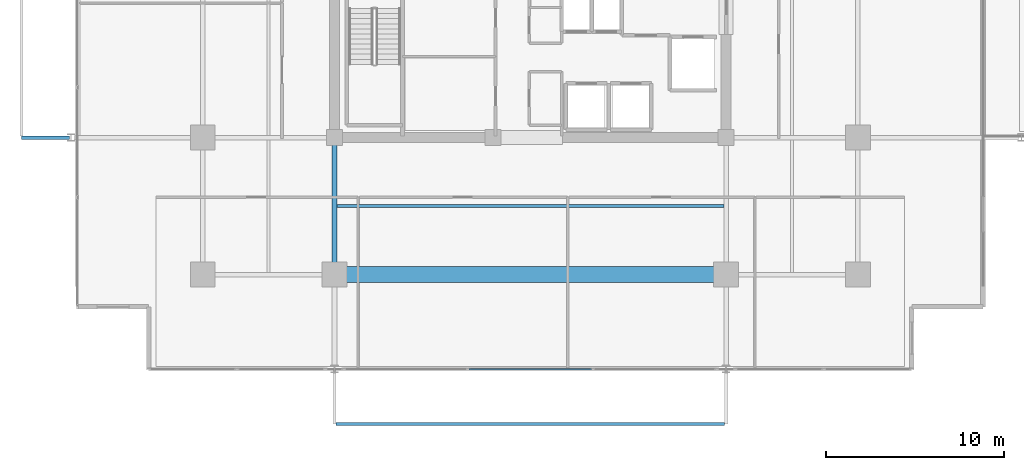
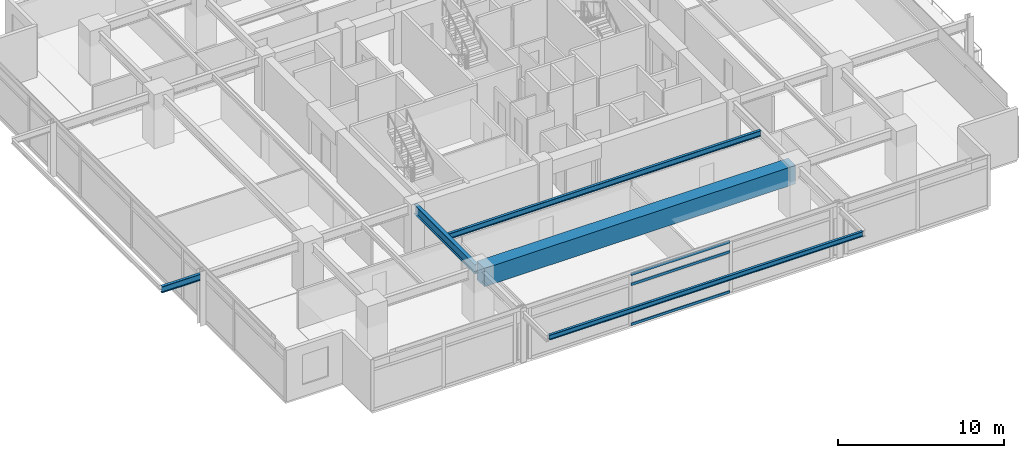
# One storey, part 5 of 21: 5 beams, 3 members, 1 element without a shape of its own.
"""IFC4 building model written with IfcOpenShell, lengths in metres."""

from ifc_helpers import new_model, si_unit, direction, frame, origin, origin_2d, place, context, subcontext, project, spatial, rectangle, hollow_rectangle, i_section, extrude, material, material_profile, profile_set, type_object, element, aggregate, save


model = new_model("IFC4")

# Units and contexts
model_context = context("Model", 3, precision=1e-05, world=origin(), true_north=direction((0.0, 1.0)))
body_context = subcontext(model_context, "Body", "Model", "MODEL_VIEW")
ifc_project = project(units=[si_unit("LENGTHUNIT", "METRE"), si_unit("AREAUNIT", "SQUARE_METRE"), si_unit("VOLUMEUNIT", "CUBIC_METRE"), si_unit("PLANEANGLEUNIT", "RADIAN"), si_unit("MASSUNIT", "GRAM", prefix="KILO")], contexts=[model_context])

# Site, building, storey
site_placement = place(None, origin())
site = spatial("IfcSite", under=ifc_project, at=site_placement, CompositionType="ELEMENT")
building_placement = place(site_placement, origin())
building = spatial("IfcBuilding", under=site, at=building_placement, Name="Kovane Verandah Tower", CompositionType="ELEMENT")
storey_placement = place(building_placement, frame((0.0, 0.0, 217.199951171875)))
storey = spatial("IfcBuildingStorey", under=building, at=storey_placement, Name="L50", CompositionType="ELEMENT", Elevation=217.199951171875)

# Beams
ifc_material_1 = material(Name="Concrete C80/95", Category="concrete")
ifc_material_profile_1 = material_profile(ifc_material_1, rectangle(XDim=0.89990234375, YDim=1.35009765625, at=origin_2d()), Name="RCB900x1350")
ifc_profile_set_1 = profile_set([ifc_material_profile_1], Name="Concrete C80/95")
beam_type_1 = type_object("IfcBeamType", Name="BM-TR-900x1350", PredefinedType="BEAM", material=ifc_profile_set_1)
beam_1_placement = place(storey_placement, frame((29.179931640625, 10.800048828125, 3.10009765625), z_axis=(1.0, 0.0, 0.0), x_axis=(0.0, 1.0, 0.0)))
element("IfcBeam", 1, at=beam_1_placement, inside=storey, type_object=beam_type_1, Name="L50 Primary Tower Girder G-RS2", PredefinedType="BEAM", context=body_context, shape_type="SweptSolid", body=[
    extrude(rectangle(XDim=0.89990234375, YDim=1.35009765625, at=origin_2d()), origin(), (0.0, 0.0, 1.0), 21.64013671875),
])
ifc_material_2 = material(Name="Steel S355", Category="steel")
ifc_material_profile_2 = material_profile(ifc_material_2, i_section(OverallWidth=0.255859375, OverallDepth=0.69287109375, WebThickness=0.014404296875, FlangeThickness=0.023681640625, FilletRadius=0.01513671875, at=origin_2d()), Name="UB686x254x170")
ifc_profile_set_2 = profile_set([ifc_material_profile_2], Name="Steel S355")
beam_type_2 = type_object("IfcBeamType", Name="BM-UB686x170", PredefinedType="BEAM", material=ifc_profile_set_2)
beam_2_placement = place(storey_placement, frame((29.0, 18.320068359375, 3.428466796875), z_axis=(0.0, -1.0, 0.0), x_axis=(1.0, 0.0, 0.0)))
element("IfcBeam", 2, at=beam_2_placement, inside=storey, type_object=beam_type_2, Name="L50 Primary Tower Girder G-S1", PredefinedType="BEAM", context=body_context, shape_type="SweptSolid", body=[
    extrude(i_section(OverallWidth=0.255859375, OverallDepth=0.69287109375, WebThickness=0.014404296875, FlangeThickness=0.023681640625, FilletRadius=0.01513671875, at=origin_2d()), origin(), (0.0, 0.0, 1.0), 7.340087890625),
])

# Curtain wall, members
ifc_material_3 = material(Name="Champagne Anodised Aluminium Frame with Low-E Clear Laminated Glass", Category="aluminium")
curtain_wall_type = type_object("IfcCurtainWallType", Name="CW-SYS-03-MID", PredefinedType="NOTDEFINED", material=ifc_material_3)
curtain_wall_placement = place(storey_placement, origin())
curtain_wall = element("IfcCurtainWall", 3, at=curtain_wall_placement, inside=storey, type_object=curtain_wall_type, Name="L50 S Unitised Curtain Wall-2", PredefinedType="NOTDEFINED")
ifc_material_4 = material(Name="Champagne Anodised Aluminium 6063-T6", Category="aluminium")
ifc_material_profile_3 = material_profile(ifc_material_4, hollow_rectangle(XDim=0.0849609375, YDim=0.18994140625, WallThickness=0.00390625, at=origin_2d()), Name="AL85x190x4")
ifc_profile_set_3 = profile_set([ifc_material_profile_3], Name="Champagne Anodised Aluminium 6063-T6")
member_type = type_object("IfcMemberType", Name="CW-TRN-85x190", PredefinedType="USERDEFINED", material=ifc_profile_set_3)
member_1_placement = place(storey_placement, frame((36.556640625, 5.485595703125, 0.050048828125), z_axis=(1.0, 0.0, 0.0), x_axis=(0.0, 1.0, 0.0)))
member_1 = element("IfcMember", 4, at=member_1_placement, type_object=member_type, Name="L50 S Unitised Curtain Wall-2 Transom TB Bay 2", ObjectType="TRANSOM", PredefinedType="USERDEFINED", context=body_context, shape_type="SweptSolid", body=[
    extrude(hollow_rectangle(XDim=0.0849609375, YDim=0.18994140625, WallThickness=0.00390625, at=origin_2d()), origin(), (0.0, 0.0, 1.0), 6.88671875),
])
member_2_placement = place(storey_placement, frame((36.556640625, 5.485595703125, 2.9951171875), z_axis=(1.0, 0.0, 0.0), x_axis=(0.0, 1.0, 0.0)))
member_2 = element("IfcMember", 5, at=member_2_placement, type_object=member_type, Name="L50 S Unitised Curtain Wall-2 Transom TM Bay 2", ObjectType="TRANSOM", PredefinedType="USERDEFINED", context=body_context, shape_type="SweptSolid", body=[
    extrude(hollow_rectangle(XDim=0.0849609375, YDim=0.18994140625, WallThickness=0.00390625, at=origin_2d()), origin(), (0.0, 0.0, 1.0), 6.88671875),
])
member_3_placement = place(storey_placement, frame((36.556640625, 5.485595703125, 3.72509765625), z_axis=(1.0, 0.0, 0.0), x_axis=(0.0, 1.0, 0.0)))
member_3 = element("IfcMember", 6, at=member_3_placement, type_object=member_type, Name="L50 S Unitised Curtain Wall-2 Transom TT Bay 2", ObjectType="TRANSOM", PredefinedType="USERDEFINED", context=body_context, shape_type="SweptSolid", body=[
    extrude(hollow_rectangle(XDim=0.0849609375, YDim=0.18994140625, WallThickness=0.00390625, at=origin_2d()), origin(), (0.0, 0.0, 1.0), 6.88671875),
])
aggregate(curtain_wall, [member_1, member_2, member_3])

# Beams
ifc_material_profile_4 = material_profile(ifc_material_2, i_section(OverallWidth=0.179443359375, OverallDepth=0.412841796875, WebThickness=0.009521484375, FlangeThickness=0.01611328125, FilletRadius=0.01025390625, at=origin_2d()), Name="UB406x178x74")
ifc_profile_set_4 = profile_set([ifc_material_profile_4], Name="Steel S355")
beam_type_3 = type_object("IfcBeamType", Name="JST-UB406x74", PredefinedType="JOIST", material=ifc_profile_set_4)
beam_3_placement = place(storey_placement, frame((29.1259765625, 14.64990234375, 3.568603515625), z_axis=(1.0, 0.0, 0.0), x_axis=(0.0, 1.0, 0.0)))
element("IfcBeam", 7, at=beam_3_placement, inside=storey, type_object=beam_type_3, Name="L50 Secondary Composite Joist J-S1", PredefinedType="JOIST", context=body_context, shape_type="SweptSolid", body=[
    extrude(i_section(OverallWidth=0.179443359375, OverallDepth=0.412841796875, WebThickness=0.009521484375, FlangeThickness=0.01611328125, FilletRadius=0.01025390625, at=origin_2d()), origin(), (0.0, 0.0, 1.0), 21.748046875),
])
ifc_material_profile_5 = material_profile(ifc_material_2, i_section(OverallWidth=0.19287109375, OverallDepth=0.46728515625, WebThickness=0.011474609375, FlangeThickness=0.01953125, FilletRadius=0.01025390625, at=origin_2d()), Name="UB457x191x98")
ifc_profile_set_5 = profile_set([ifc_material_profile_5], Name="Steel S355")
beam_type_4 = type_object("IfcBeamType", Name="JST-UB457x98", PredefinedType="JOIST", material=ifc_profile_set_5)
beam_4_placement = place(storey_placement, frame((14.1201171875, 18.5, 3.5263671875), z_axis=(-1.0, 0.0, 0.0), x_axis=(0.0, -1.0, 0.0)))
element("IfcBeam", 8, at=beam_4_placement, inside=storey, type_object=beam_type_4, Name="L50 West Planter Girder 1", PredefinedType="JOIST", context=body_context, shape_type="SweptSolid", body=[
    extrude(i_section(OverallWidth=0.19287109375, OverallDepth=0.46728515625, WebThickness=0.011474609375, FlangeThickness=0.01953125, FilletRadius=0.01025390625, at=origin_2d()), origin(), (0.0, 0.0, 1.0), 2.701416015625),
])
ifc_material_profile_6 = material_profile(ifc_material_2, i_section(OverallWidth=0.173095703125, OverallDepth=0.36328125, WebThickness=0.009033203125, FlangeThickness=0.015625, FilletRadius=0.01025390625, at=origin_2d()), Name="UB356x171x67")
ifc_profile_set_6 = profile_set([ifc_material_profile_6], Name="Steel S355")
beam_type_5 = type_object("IfcBeamType", Name="SPD-UB356x67", PredefinedType="USERDEFINED", material=ifc_profile_set_6)
beam_5_placement = place(storey_placement, frame((29.094482421875, 2.40966796875, 3.578369140625), z_axis=(1.0, 0.0, 0.0), x_axis=(0.0, 1.0, 0.0)))
element("IfcBeam", 9, at=beam_5_placement, inside=storey, type_object=beam_type_5, Name="L50 South Planter Edge Spandrel", ObjectType="SPANDREL", PredefinedType="USERDEFINED", context=body_context, shape_type="SweptSolid", body=[
    extrude(i_section(OverallWidth=0.173095703125, OverallDepth=0.36328125, WebThickness=0.009033203125, FlangeThickness=0.015625, FilletRadius=0.01025390625, at=origin_2d()), origin(), (0.0, 0.0, 1.0), 21.81103515625),
])

save(model, "model.ifc")
